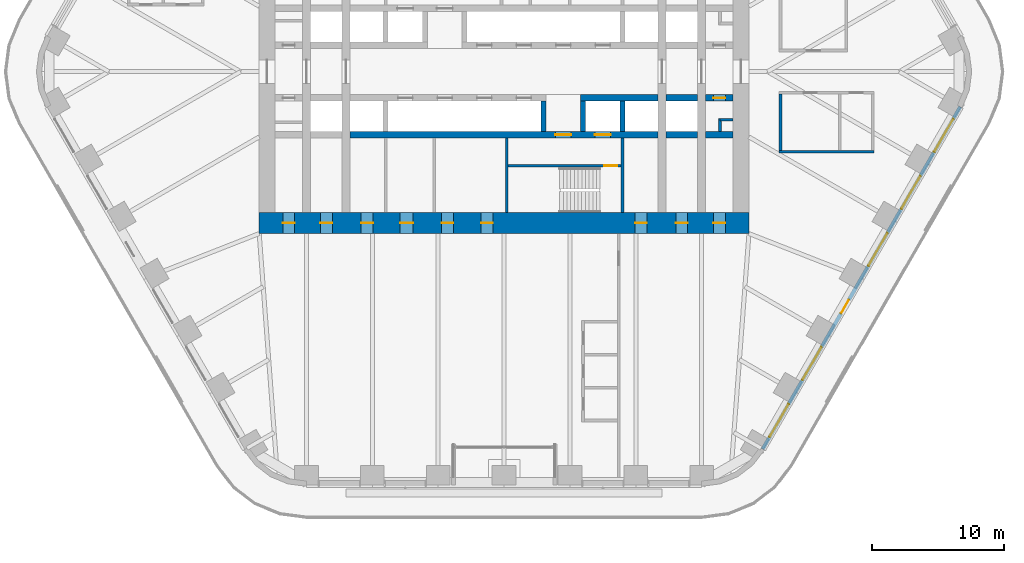
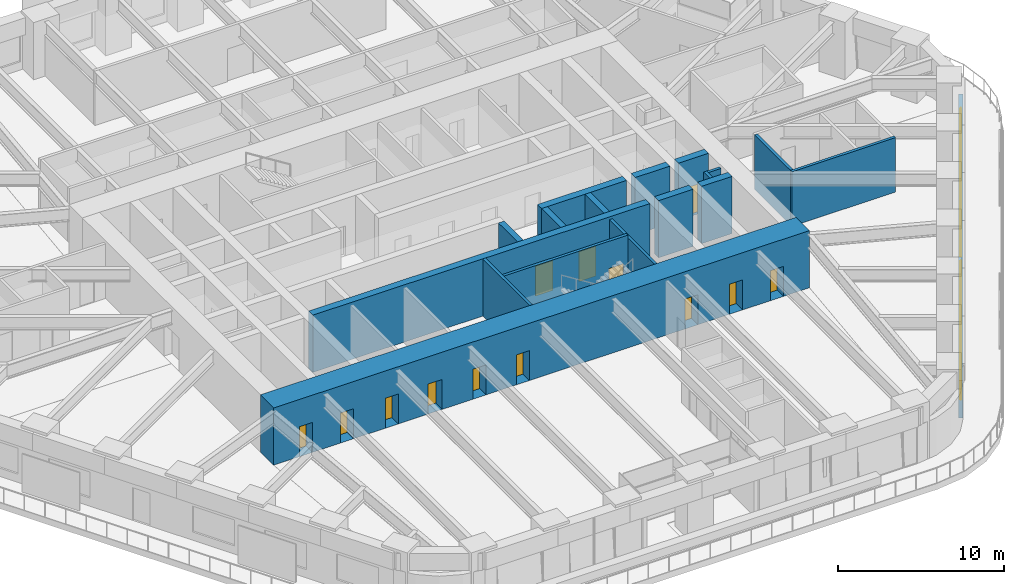
# One storey, part 18 of 24: 18 walls, 14 doors, 5 windows, 19 openings.
"""IFC4 building model written with IfcOpenShell, lengths in metres."""

from ifc_helpers import new_model, si_unit, direction, frame, frame_2d, origin, place, context, subcontext, project, spatial, rectangle, extrude, material, layer, layer_set, type_object, element, fill, save


model = new_model("IFC4")

# Units and contexts
model_context = context("Model", 3, precision=1e-05, world=origin(), true_north=direction((0.0, 1.0)))
body_context = subcontext(model_context, "Body", "Model", "MODEL_VIEW")
ifc_project = project(units=[si_unit("LENGTHUNIT", "METRE"), si_unit("AREAUNIT", "SQUARE_METRE"), si_unit("VOLUMEUNIT", "CUBIC_METRE"), si_unit("PLANEANGLEUNIT", "RADIAN"), si_unit("MASSUNIT", "GRAM", prefix="KILO")], contexts=[model_context])

# Site, building, storey
site_placement = place(None, origin())
site = spatial("IfcSite", under=ifc_project, at=site_placement, CompositionType="ELEMENT")
building_placement = place(site_placement, origin())
building = spatial("IfcBuilding", under=site, at=building_placement, Name="Tarfa Lantern Tower", CompositionType="ELEMENT")
storey_placement = place(building_placement, frame((0.0, 0.0, 136.300048828125)))
storey = spatial("IfcBuildingStorey", under=building, at=storey_placement, Name="L30", CompositionType="ELEMENT", Elevation=136.300048828125)

# Wall, openings, door, windows
ifc_material_1 = material(Name="Limestone cladding on blockwork", Category="masonry")
ifc_layer_1 = layer(ifc_material_1, 0.300048828125)
ifc_layer_set_1 = layer_set([ifc_layer_1], Name="EW1 STONE-CLAD WALL 300")
wall_type_1 = type_object("IfcWallType", Name="EW1 STONE-CLAD WALL 300", PredefinedType="SOLIDWALL", material=ifc_layer_set_1)
wall_1_placement = place(storey_placement, frame((19.644287109375, -28.675048828125, 0.0), z_axis=(0.0, 0.0, 1.0), x_axis=(0.500003084452, 0.866023622968, 0.0)))
wall_1 = element("IfcWall", 1, at=wall_1_placement, inside=storey, type_object=wall_type_1, Name="Stone wall SE", PredefinedType="SOLIDWALL", context=body_context, shape_type="SweptSolid", body=[
    extrude(rectangle(XDim=30.022216796875, YDim=0.300048828125, at=frame_2d((15.01123046875, 0.0))), origin(), (0.0, 0.0, 1.0), 2.75),
])
opening_1_placement = place(wall_1_placement, frame((1.0517578125, 0.0, 0.60009765625)))
opening_1 = element("IfcOpeningElement", 2, at=opening_1_placement, cuts=wall_1, Name="Opening W9", PredefinedType="OPENING", context=body_context, shape_type="SweptSolid", body=[
    extrude(rectangle(XDim=2.89990234375, YDim=1.89990234375, at=frame_2d((1.449951171875, 0.949951171875))), frame((0.0, 0.159912109375, 0.0), z_axis=(0.0, -1.0, 0.0), x_axis=(1.0, 0.0, 0.0)), (0.0, 0.0, 1.0), 0.320068359375),
])
opening_2_placement = place(wall_1_placement, frame((6.0556640625, 0.0, 0.60009765625)))
opening_2 = element("IfcOpeningElement", 3, at=opening_2_placement, cuts=wall_1, Name="Opening W9", PredefinedType="OPENING", context=body_context, shape_type="SweptSolid", body=[
    extrude(rectangle(XDim=2.89990234375, YDim=1.89990234375, at=frame_2d((1.449951171875, 0.949951171875))), frame((0.0, 0.159912109375, 0.0), z_axis=(0.0, -1.0, 0.0), x_axis=(1.0, 0.0, 0.0)), (0.0, 0.0, 1.0), 0.320068359375),
])
opening_3_placement = place(wall_1_placement, frame((11.9091796875, 0.0, 0.0)))
opening_3 = element("IfcOpeningElement", 4, at=opening_3_placement, cuts=wall_1, Name="Opening D50", PredefinedType="OPENING", context=body_context, shape_type="SweptSolid", body=[
    extrude(rectangle(XDim=1.199951171875, YDim=2.39990234375, at=frame_2d((0.60009765625, 1.199951171875))), frame((0.0, 0.159912109375, 0.0), z_axis=(0.0, -1.0, 0.0), x_axis=(1.0, 0.0, 0.0)), (0.0, 0.0, 1.0), 0.320068359375),
])
opening_4_placement = place(wall_1_placement, frame((16.06298828125, 0.0, 0.60009765625)))
opening_4 = element("IfcOpeningElement", 5, at=opening_4_placement, cuts=wall_1, Name="Opening W9", PredefinedType="OPENING", context=body_context, shape_type="SweptSolid", body=[
    extrude(rectangle(XDim=2.89990234375, YDim=1.89990234375, at=frame_2d((1.449951171875, 0.949951171875))), frame((0.0, 0.159912109375, 0.0), z_axis=(0.0, -1.0, 0.0), x_axis=(1.0, 0.0, 0.0)), (0.0, 0.0, 1.0), 0.320068359375),
])
opening_5_placement = place(wall_1_placement, frame((21.066650390625, 0.0, 0.60009765625)))
opening_5 = element("IfcOpeningElement", 6, at=opening_5_placement, cuts=wall_1, Name="Opening W9", PredefinedType="OPENING", context=body_context, shape_type="SweptSolid", body=[
    extrude(rectangle(XDim=2.89990234375, YDim=1.89990234375, at=frame_2d((1.449951171875, 0.949951171875))), frame((0.0, 0.159912109375, 0.0), z_axis=(0.0, -1.0, 0.0), x_axis=(1.0, 0.0, 0.0)), (0.0, 0.0, 1.0), 0.320068359375),
])
opening_6_placement = place(wall_1_placement, frame((26.0703125, 0.0, 0.60009765625)))
opening_6 = element("IfcOpeningElement", 7, at=opening_6_placement, cuts=wall_1, Name="Opening W9", PredefinedType="OPENING", context=body_context, shape_type="SweptSolid", body=[
    extrude(rectangle(XDim=2.89990234375, YDim=1.89990234375, at=frame_2d((1.449951171875, 0.949951171875))), frame((0.0, 0.159912109375, 0.0), z_axis=(0.0, -1.0, 0.0), x_axis=(1.0, 0.0, 0.0)), (0.0, 0.0, 1.0), 0.320068359375),
])
ifc_material_2 = material(Name="Aluminium framed glazed door", Category="aluminium")
door_type_1 = type_object("IfcDoorType", Name="BE3 BALCONY DOOR 1200x2400", OperationType="SINGLE_SWING_RIGHT", PredefinedType="DOOR", material=ifc_material_2)
door_1_placement = place(opening_3_placement, origin())
door_1 = element("IfcDoor", 8, at=door_1_placement, inside=storey, type_object=door_type_1, Name="Balcony door SE", OperationType="SINGLE_SWING_RIGHT", OverallHeight=2.39990234375, OverallWidth=1.199951171875, PredefinedType="DOOR", context=body_context, shape_type="SweptSolid", body=[
    extrude(rectangle(XDim=1.199951171875, YDim=2.39990234375, at=frame_2d((0.60009765625, 1.199951171875))), frame((0.0, 0.02490234375, 0.0), z_axis=(0.0, -1.0, 0.0), x_axis=(1.0, 0.0, 0.0)), (0.0, 0.0, 1.0), 0.050048828125),
])
fill(opening_3, door_1)
ifc_material_3 = material(Name="Aluminium frame, double glazed", Category="aluminium")
window_type = type_object("IfcWindowType", Name="W9 FULL-HEIGHT GLAZING 2900x1900", PartitioningType="SINGLE_PANEL", PredefinedType="WINDOW", material=ifc_material_3)
window_1_placement = place(opening_1_placement, origin())
window_1 = element("IfcWindow", 9, at=window_1_placement, inside=storey, type_object=window_type, Name="Window SE 1", OverallHeight=1.89990234375, OverallWidth=2.89990234375, PartitioningType="SINGLE_PANEL", PredefinedType="WINDOW", context=body_context, shape_type="SweptSolid", body=[
    extrude(rectangle(XDim=2.89990234375, YDim=1.89990234375, at=frame_2d((1.449951171875, 0.949951171875))), frame((0.0, 0.030029296875, 0.0), z_axis=(0.0, -1.0, 0.0), x_axis=(1.0, 0.0, 0.0)), (0.0, 0.0, 1.0), 0.06005859375),
])
fill(opening_1, window_1)
window_2_placement = place(opening_2_placement, origin())
window_2 = element("IfcWindow", 10, at=window_2_placement, inside=storey, type_object=window_type, Name="Window SE 2", OverallHeight=1.89990234375, OverallWidth=2.89990234375, PartitioningType="SINGLE_PANEL", PredefinedType="WINDOW", context=body_context, shape_type="SweptSolid", body=[
    extrude(rectangle(XDim=2.89990234375, YDim=1.89990234375, at=frame_2d((1.449951171875, 0.949951171875))), frame((0.0, 0.030029296875, 0.0), z_axis=(0.0, -1.0, 0.0), x_axis=(1.0, 0.0, 0.0)), (0.0, 0.0, 1.0), 0.06005859375),
])
fill(opening_2, window_2)
window_3_placement = place(opening_4_placement, origin())
window_3 = element("IfcWindow", 11, at=window_3_placement, inside=storey, type_object=window_type, Name="Window SE 4", OverallHeight=1.89990234375, OverallWidth=2.89990234375, PartitioningType="SINGLE_PANEL", PredefinedType="WINDOW", context=body_context, shape_type="SweptSolid", body=[
    extrude(rectangle(XDim=2.89990234375, YDim=1.89990234375, at=frame_2d((1.449951171875, 0.949951171875))), frame((0.0, 0.030029296875, 0.0), z_axis=(0.0, -1.0, 0.0), x_axis=(1.0, 0.0, 0.0)), (0.0, 0.0, 1.0), 0.06005859375),
])
fill(opening_4, window_3)
window_4_placement = place(opening_5_placement, origin())
window_4 = element("IfcWindow", 12, at=window_4_placement, inside=storey, type_object=window_type, Name="Window SE 5", OverallHeight=1.89990234375, OverallWidth=2.89990234375, PartitioningType="SINGLE_PANEL", PredefinedType="WINDOW", context=body_context, shape_type="SweptSolid", body=[
    extrude(rectangle(XDim=2.89990234375, YDim=1.89990234375, at=frame_2d((1.449951171875, 0.949951171875))), frame((0.0, 0.030029296875, 0.0), z_axis=(0.0, -1.0, 0.0), x_axis=(1.0, 0.0, 0.0)), (0.0, 0.0, 1.0), 0.06005859375),
])
fill(opening_5, window_4)
window_5_placement = place(opening_6_placement, origin())
window_5 = element("IfcWindow", 13, at=window_5_placement, inside=storey, type_object=window_type, Name="Window SE 6", OverallHeight=1.89990234375, OverallWidth=2.89990234375, PartitioningType="SINGLE_PANEL", PredefinedType="WINDOW", context=body_context, shape_type="SweptSolid", body=[
    extrude(rectangle(XDim=2.89990234375, YDim=1.89990234375, at=frame_2d((1.449951171875, 0.949951171875))), frame((0.0, 0.030029296875, 0.0), z_axis=(0.0, -1.0, 0.0), x_axis=(1.0, 0.0, 0.0)), (0.0, 0.0, 1.0), 0.06005859375),
])
fill(opening_6, window_5)

# Walls
ifc_material_4 = material(Name="Concrete blockwork", Category="masonry")
ifc_layer_2 = layer(ifc_material_4, 0.199951171875)
ifc_layer_set_2 = layer_set([ifc_layer_2], Name="IW1 BLOCKWORK PARTITION 200 EI 120")
wall_type_2 = type_object("IfcWallType", Name="IW1 BLOCKWORK PARTITION 200 EI 120", PredefinedType="PARTITIONING", material=ifc_layer_set_2)
wall_2_placement = place(storey_placement, frame((9.0, -5.050048828125, 0.0), z_axis=(0.0, 0.0, 1.0), x_axis=(0.0, -1.0, 0.0)))
element("IfcWall", 14, at=wall_2_placement, inside=storey, type_object=wall_type_2, Name="Core partition", PredefinedType="PARTITIONING", context=body_context, shape_type="SweptSolid", body=[
    extrude(rectangle(XDim=5.64990234375, YDim=0.199951171875, at=frame_2d((2.824951171875, 0.0))), origin(), (0.0, 0.0, 1.0), 4.0),
])
for number, where, z_axis, x_axis, name in (
    (15, (17.39990234375, -3.64990234375, 0.0), (0.0, 0.0, 1.0), (-1.0, 0.0, 0.0), "Core partition"),
    (16, (16.39990234375, -3.550048828125, 0.0), (0.0, 0.0, 1.0), (0.0, -1.0, 0.0), "Core partition"),
):
    element("IfcWall", number, at=place(storey_placement, frame(where, z_axis=z_axis, x_axis=x_axis)), inside=storey, type_object=wall_type_2, Name=name, PredefinedType="PARTITIONING", context=body_context, shape_type="SweptSolid", body=[
        extrude(rectangle(XDim=1.0, YDim=0.199951171875, at=frame_2d((0.5, 0.0))), origin(), (0.0, 0.0, 1.0), 4.0),
    ])
ifc_material_5 = material(Name="Gypsum board on steel studs", Category="steel")
ifc_layer_3 = layer(ifc_material_5, 0.2099609375)
ifc_layer_set_3 = layer_set([ifc_layer_3], Name="IW2 ACOUSTIC PARTITION 200")
wall_type_3 = type_object("IfcWallType", Name="IW2 ACOUSTIC PARTITION 200", PredefinedType="PARTITIONING", material=ifc_layer_set_3)
wall_3_placement = place(storey_placement, frame((20.89990234375, -6.10009765625, 0.0), z_axis=(0.0, 0.0, 1.0), x_axis=(1.0, 0.0, 0.0)))
element("IfcWall", 17, at=wall_3_placement, inside=storey, type_object=wall_type_3, Name="Partition", PredefinedType="PARTITIONING", context=body_context, shape_type="SweptSolid", body=[
    extrude(rectangle(XDim=7.2001953125, YDim=0.199951171875, at=frame_2d((3.60009765625, 0.0))), origin(), (0.0, 0.0, 1.0), 4.0),
])
wall_4_placement = place(storey_placement, frame((21.0, -1.699951171875, 0.0), z_axis=(0.0, 0.0, 1.0), x_axis=(0.0, -1.0, 0.0)))
element("IfcWall", 18, at=wall_4_placement, inside=storey, type_object=wall_type_3, Name="Partition", PredefinedType="PARTITIONING", context=body_context, shape_type="SweptSolid", body=[
    extrude(rectangle(XDim=4.300048828125, YDim=0.199951171875, at=frame_2d((2.14990234375, 0.0))), origin(), (0.0, 0.0, 1.0), 4.0),
])
ifc_material_6 = material(Name="Concrete C80/95", Category="concrete")
ifc_layer_4 = layer(ifc_material_6, 0.199951171875)
ifc_layer_set_4 = layer_set([ifc_layer_4], Name="SW12 CORE WALL 200")
wall_type_4 = type_object("IfcWallType", Name="SW12 CORE WALL 200", PredefinedType="SHEAR", material=ifc_layer_set_4)
wall_5_placement = place(storey_placement, frame((0.199951171875, -5.050048828125, 0.0), z_axis=(0.0, 0.0, 1.0), x_axis=(0.0, -1.0, 0.0)))
element("IfcWall", 19, at=wall_5_placement, inside=storey, type_object=wall_type_4, Name="Core wall stair shaft S", PredefinedType="SHEAR", context=body_context, shape_type="SweptSolid", body=[
    extrude(rectangle(XDim=5.64990234375, YDim=0.199951171875, at=frame_2d((2.824951171875, 0.0))), origin(), (0.0, 0.0, 1.0), 4.199951171875),
])

# Wall, opening, door
wall_6_placement = place(storey_placement, frame((8.89990234375, -7.14990234375, 0.0), z_axis=(0.0, 0.0, 1.0), x_axis=(-1.0, 0.0, 0.0)))
wall_6 = element("IfcWall", 20, at=wall_6_placement, inside=storey, type_object=wall_type_4, Name="Core wall stair partition S", PredefinedType="SHEAR", context=body_context, shape_type="SweptSolid", body=[
    extrude(rectangle(XDim=8.599853515625, YDim=0.199951171875, at=frame_2d((4.2998046875, 0.0))), origin(), (0.0, 0.0, 1.0), 4.199951171875),
])
opening_7_placement = place(wall_6_placement, frame((0.300048828125, 0.0, 0.0)))
opening_7 = element("IfcOpeningElement", 21, at=opening_7_placement, cuts=wall_6, Name="Opening D28", PredefinedType="OPENING", context=body_context, shape_type="SweptSolid", body=[
    extrude(rectangle(XDim=1.0, YDim=2.199951171875, at=frame_2d((0.5, 1.10009765625))), frame((0.0, 0.10986328125, 0.0), z_axis=(0.0, -1.0, 0.0), x_axis=(1.0, 0.0, 0.0)), (0.0, 0.0, 1.0), 0.219970703125),
])
ifc_material_7 = material(Name="Steel fire door", Category="steel")
door_type_2 = type_object("IfcDoorType", Name="DF2 STAIR DOOR 1000x2200", OperationType="SINGLE_SWING_LEFT", PredefinedType="DOOR", material=ifc_material_7)
door_2_placement = place(opening_7_placement, origin())
door_2 = element("IfcDoor", 22, at=door_2_placement, inside=storey, type_object=door_type_2, Name="Stair door", OperationType="SINGLE_SWING_RIGHT", OverallHeight=2.199951171875, OverallWidth=1.0, PredefinedType="DOOR", context=body_context, shape_type="SweptSolid", body=[
    extrude(rectangle(XDim=1.0, YDim=2.199951171875, at=frame_2d((0.5, 1.10009765625))), frame((0.0, 0.02490234375, 0.0), z_axis=(0.0, -1.0, 0.0), x_axis=(1.0, 0.0, 0.0)), (0.0, 0.0, 1.0), 0.050048828125),
])
fill(opening_7, door_2)

ifc_layer_5 = layer(ifc_material_6, 0.5)
ifc_layer_set_5 = layer_set([ifc_layer_5], Name="SW5 CORE WALL 500")
wall_type_5 = type_object("IfcWallType", Name="SW5 CORE WALL 500", PredefinedType="SHEAR", material=ifc_layer_set_5)
wall_7_placement = place(storey_placement, frame((17.39990234375, -2.0, 0.0), z_axis=(0.0, 0.0, 1.0), x_axis=(-1.0, 0.0, 0.0)))
wall_7 = element("IfcWall", 23, at=wall_7_placement, inside=storey, type_object=wall_type_5, Name="Core wall lobby west S", PredefinedType="SHEAR", context=body_context, shape_type="SweptSolid", body=[
    extrude(rectangle(XDim=2.099853515625, YDim=0.5, at=frame_2d((1.0498046875, 0.0))), origin(), (0.0, 0.0, 1.0), 4.199951171875),
])
opening_8_placement = place(wall_7_placement, frame((0.60009765625, 0.0, 0.0)))
opening_8 = element("IfcOpeningElement", 24, at=opening_8_placement, cuts=wall_7, Name="Opening D20", PredefinedType="OPENING", context=body_context, shape_type="SweptSolid", body=[
    extrude(rectangle(XDim=0.89990234375, YDim=2.199951171875, at=frame_2d((0.449951171875, 1.10009765625))), frame((0.0, 0.260009765625, 0.0), z_axis=(0.0, -1.0, 0.0), x_axis=(1.0, 0.0, 0.0)), (0.0, 0.0, 1.0), 0.52001953125),
])
door_type_3 = type_object("IfcDoorType", Name="DF6 SERVICE ROOM DOOR 900x2200", OperationType="SINGLE_SWING_LEFT", PredefinedType="DOOR", material=ifc_material_7)
door_3_placement = place(opening_8_placement, origin())
door_3 = element("IfcDoor", 25, at=door_3_placement, inside=storey, type_object=door_type_3, Name="Service room door", OperationType="SINGLE_SWING_LEFT", OverallHeight=2.199951171875, OverallWidth=0.89990234375, PredefinedType="DOOR", context=body_context, shape_type="SweptSolid", body=[
    extrude(rectangle(XDim=0.89990234375, YDim=2.199951171875, at=frame_2d((0.449951171875, 1.10009765625))), frame((0.0, 0.02490234375, 0.0), z_axis=(0.0, -1.0, 0.0), x_axis=(1.0, 0.0, 0.0)), (0.0, 0.0, 1.0), 0.050048828125),
])
fill(opening_8, door_3)

# Walls
wall_8_placement = place(storey_placement, frame((14.699951171875, -2.0, 0.0), z_axis=(0.0, 0.0, 1.0), x_axis=(-1.0, 0.0, 0.0)))
element("IfcWall", 26, at=wall_8_placement, inside=storey, type_object=wall_type_5, Name="Core wall lobby west S", PredefinedType="SHEAR", context=body_context, shape_type="SweptSolid", body=[
    extrude(rectangle(XDim=2.39990234375, YDim=0.5, at=frame_2d((1.199951171875, 0.0))), origin(), (0.0, 0.0, 1.0), 4.199951171875),
])
wall_9_placement = place(storey_placement, frame((11.699951171875, -2.0, 0.0), z_axis=(0.0, 0.0, 1.0), x_axis=(-1.0, 0.0, 0.0)))
element("IfcWall", 27, at=wall_9_placement, inside=storey, type_object=wall_type_5, Name="Core wall lobby west S", PredefinedType="SHEAR", context=body_context, shape_type="SweptSolid", body=[
    extrude(rectangle(XDim=5.89990234375, YDim=0.5, at=frame_2d((2.949951171875, 0.0))), origin(), (0.0, 0.0, 1.0), 4.199951171875),
])
wall_10_placement = place(storey_placement, frame((17.39990234375, -4.800048828125, 0.0), z_axis=(0.0, 0.0, 1.0), x_axis=(-1.0, 0.0, 0.0)))
element("IfcWall", 28, at=wall_10_placement, inside=storey, type_object=wall_type_5, Name="Core wall rear S", PredefinedType="SHEAR", context=body_context, shape_type="SweptSolid", body=[
    extrude(rectangle(XDim=2.099853515625, YDim=0.5, at=frame_2d((1.0498046875, 0.0))), origin(), (0.0, 0.0, 1.0), 4.199951171875),
])
wall_11_placement = place(storey_placement, frame((14.699951171875, -4.800048828125, 0.0), z_axis=(0.0, 0.0, 1.0), x_axis=(-1.0, 0.0, 0.0)))
element("IfcWall", 29, at=wall_11_placement, inside=storey, type_object=wall_type_5, Name="Core wall rear S", PredefinedType="SHEAR", context=body_context, shape_type="SweptSolid", body=[
    extrude(rectangle(XDim=2.39990234375, YDim=0.5, at=frame_2d((1.199951171875, 0.0))), origin(), (0.0, 0.0, 1.0), 4.199951171875),
])

# Wall, openings, doors
wall_12_placement = place(storey_placement, frame((11.699951171875, -4.800048828125, 0.0), z_axis=(0.0, 0.0, 1.0), x_axis=(-1.0, 0.0, 0.0)))
wall_12 = element("IfcWall", 30, at=wall_12_placement, inside=storey, type_object=wall_type_5, Name="Core wall rear S", PredefinedType="SHEAR", context=body_context, shape_type="SweptSolid", body=[
    extrude(rectangle(XDim=23.39990234375, YDim=0.5, at=frame_2d((11.699951171875, 0.0))), origin(), (0.0, 0.0, 1.0), 4.199951171875),
])
opening_9_placement = place(wall_12_placement, frame((6.60009765625, 0.0, 0.0)))
opening_9 = element("IfcOpeningElement", 31, at=opening_9_placement, cuts=wall_12, Name="Opening D14", PredefinedType="OPENING", context=body_context, shape_type="SweptSolid", body=[
    extrude(rectangle(XDim=1.199951171875, YDim=2.199951171875, at=frame_2d((0.60009765625, 1.10009765625))), frame((0.0, 0.260009765625, 0.0), z_axis=(0.0, -1.0, 0.0), x_axis=(1.0, 0.0, 0.0)), (0.0, 0.0, 1.0), 0.52001953125),
])
opening_10_placement = place(wall_12_placement, frame((3.60009765625, 0.0, 0.0)))
opening_10 = element("IfcOpeningElement", 32, at=opening_10_placement, cuts=wall_12, Name="Opening LD02", PredefinedType="OPENING", context=body_context, shape_type="SweptSolid", body=[
    extrude(rectangle(XDim=1.199951171875, YDim=2.199951171875, at=frame_2d((0.60009765625, 1.10009765625))), frame((0.0, 0.260009765625, 0.0), z_axis=(0.0, -1.0, 0.0), x_axis=(1.0, 0.0, 0.0)), (0.0, 0.0, 1.0), 0.52001953125),
])
door_type_4 = type_object("IfcDoorType", Name="DF1 FIREFIGHTING LOBBY DOOR 1200x2200", OperationType="SINGLE_SWING_LEFT", PredefinedType="DOOR", material=ifc_material_7)
door_4_placement = place(opening_9_placement, origin())
door_4 = element("IfcDoor", 33, at=door_4_placement, inside=storey, type_object=door_type_4, Name="Firefighting lobby door", OperationType="SINGLE_SWING_LEFT", OverallHeight=2.199951171875, OverallWidth=1.199951171875, PredefinedType="DOOR", context=body_context, shape_type="SweptSolid", body=[
    extrude(rectangle(XDim=1.199951171875, YDim=2.199951171875, at=frame_2d((0.60009765625, 1.10009765625))), frame((0.0, 0.02490234375, 0.0), z_axis=(0.0, -1.0, 0.0), x_axis=(1.0, 0.0, 0.0)), (0.0, 0.0, 1.0), 0.050048828125),
])
fill(opening_9, door_4)
ifc_material_8 = material(Name="Stainless steel lift door", Category="steel")
door_type_5 = type_object("IfcDoorType", Name="LD1 LIFT LANDING DOOR 1200x2200", OperationType="SLIDING_TO_LEFT", PredefinedType="DOOR", material=ifc_material_8)
door_5_placement = place(opening_10_placement, origin())
door_5 = element("IfcDoor", 34, at=door_5_placement, inside=storey, type_object=door_type_5, Name="Landing door FL2", OperationType="SLIDING_TO_LEFT", OverallHeight=2.199951171875, OverallWidth=1.199951171875, PredefinedType="DOOR", context=body_context, shape_type="SweptSolid", body=[
    extrude(rectangle(XDim=1.199951171875, YDim=2.199951171875, at=frame_2d((0.60009765625, 1.10009765625))), frame((0.0, 0.02490234375, 0.0), z_axis=(0.0, -1.0, 0.0), x_axis=(1.0, 0.0, 0.0)), (0.0, 0.0, 1.0), 0.050048828125),
])
fill(opening_10, door_5)

# Walls
ifc_layer_6 = layer(ifc_material_6, 0.39990234375)
ifc_layer_set_6 = layer_set([ifc_layer_6], Name="SW6 CORE WALL 400")
wall_type_6 = type_object("IfcWallType", Name="SW6 CORE WALL 400", PredefinedType="SHEAR", material=ifc_layer_set_6)
for number, where, z_axis, x_axis, name in (
    (35, (9.0, -2.25, 0.0), (0.0, 0.0, 1.0), (0.0, -1.0, 0.0), "Core wall divider S"),
    (36, (6.0, -2.25, 0.0), (0.0, 0.0, 1.0), (0.0, -1.0, 0.0), "Core wall divider S"),
    (37, (3.0, -2.25, 0.0), (0.0, 0.0, 1.0), (0.0, -1.0, 0.0), "Core wall divider S"),
):
    element("IfcWall", number, at=place(storey_placement, frame(where, z_axis=z_axis, x_axis=x_axis)), inside=storey, type_object=wall_type_6, Name=name, PredefinedType="SHEAR", context=body_context, shape_type="SweptSolid", body=[
        extrude(rectangle(XDim=2.300048828125, YDim=0.39990234375, at=frame_2d((1.14990234375, 0.0))), origin(), (0.0, 0.0, 1.0), 4.199951171875),
    ])

# Wall, openings, doors
ifc_layer_7 = layer(ifc_material_6, 1.60009765625)
ifc_layer_set_7 = layer_set([ifc_layer_7], Name="SW7 CORE WALL 1600")
wall_type_7 = type_object("IfcWallType", Name="SW7 CORE WALL 1600", PredefinedType="SHEAR", material=ifc_layer_set_7)
wall_13_placement = place(storey_placement, frame((18.60009765625, -11.5, 0.0), z_axis=(0.0, 0.0, 1.0), x_axis=(-1.0, 0.0, 0.0)))
wall_13 = element("IfcWall", 38, at=wall_13_placement, inside=storey, type_object=wall_type_7, Name="Core wall S", PredefinedType="SHEAR", context=body_context, shape_type="SweptSolid", body=[
    extrude(rectangle(XDim=37.2001953125, YDim=1.60009765625, at=frame_2d((18.60009765625, 0.0))), origin(), (0.0, 0.0, 1.0), 4.199951171875),
])
opening_11_placement = place(wall_13_placement, frame((19.449951171875, 0.0, 0.0)))
opening_11 = element("IfcOpeningElement", 39, at=opening_11_placement, cuts=wall_13, Name="Opening D22", PredefinedType="OPENING", context=body_context, shape_type="SweptSolid", body=[
    extrude(rectangle(XDim=0.89990234375, YDim=2.199951171875, at=frame_2d((0.449951171875, 1.10009765625))), frame((0.0, 0.81005859375, 0.0), z_axis=(0.0, -1.0, 0.0), x_axis=(1.0, 0.0, 0.0)), (0.0, 0.0, 1.0), 1.6201171875),
])
opening_12_placement = place(wall_13_placement, frame((22.449951171875, 0.0, 0.0)))
opening_12 = element("IfcOpeningElement", 40, at=opening_12_placement, cuts=wall_13, Name="Opening D24", PredefinedType="OPENING", context=body_context, shape_type="SweptSolid", body=[
    extrude(rectangle(XDim=0.89990234375, YDim=2.199951171875, at=frame_2d((0.449951171875, 1.10009765625))), frame((0.0, 0.81005859375, 0.0), z_axis=(0.0, -1.0, 0.0), x_axis=(1.0, 0.0, 0.0)), (0.0, 0.0, 1.0), 1.6201171875),
])
opening_13_placement = place(wall_13_placement, frame((25.5, 0.0, 0.0)))
opening_13 = element("IfcOpeningElement", 41, at=opening_13_placement, cuts=wall_13, Name="Opening D26", PredefinedType="OPENING", context=body_context, shape_type="SweptSolid", body=[
    extrude(rectangle(XDim=1.0, YDim=2.199951171875, at=frame_2d((0.5, 1.10009765625))), frame((0.0, 0.81005859375, 0.0), z_axis=(0.0, -1.0, 0.0), x_axis=(1.0, 0.0, 0.0)), (0.0, 0.0, 1.0), 1.6201171875),
])
opening_14_placement = place(wall_13_placement, frame((1.800048828125, 0.0, 0.0)))
opening_14 = element("IfcOpeningElement", 42, at=opening_14_placement, cuts=wall_13, Name="Opening D12", PredefinedType="OPENING", context=body_context, shape_type="SweptSolid", body=[
    extrude(rectangle(XDim=0.89990234375, YDim=2.199951171875, at=frame_2d((0.449951171875, 1.10009765625))), frame((0.0, 0.81005859375, 0.0), z_axis=(0.0, -1.0, 0.0), x_axis=(1.0, 0.0, 0.0)), (0.0, 0.0, 1.0), 1.6201171875),
])
opening_15_placement = place(wall_13_placement, frame((4.64990234375, 0.0, 0.0)))
opening_15 = element("IfcOpeningElement", 43, at=opening_15_placement, cuts=wall_13, Name="Opening D08", PredefinedType="OPENING", context=body_context, shape_type="SweptSolid", body=[
    extrude(rectangle(XDim=0.89990234375, YDim=2.199951171875, at=frame_2d((0.449951171875, 1.10009765625))), frame((0.0, 0.81005859375, 0.0), z_axis=(0.0, -1.0, 0.0), x_axis=(1.0, 0.0, 0.0)), (0.0, 0.0, 1.0), 1.6201171875),
])
opening_16_placement = place(wall_13_placement, frame((7.75, 0.0, 0.0)))
opening_16 = element("IfcOpeningElement", 44, at=opening_16_placement, cuts=wall_13, Name="Opening D10", PredefinedType="OPENING", context=body_context, shape_type="SweptSolid", body=[
    extrude(rectangle(XDim=0.89990234375, YDim=2.199951171875, at=frame_2d((0.449951171875, 1.10009765625))), frame((0.0, 0.81005859375, 0.0), z_axis=(0.0, -1.0, 0.0), x_axis=(1.0, 0.0, 0.0)), (0.0, 0.0, 1.0), 1.6201171875),
])
opening_17_placement = place(wall_13_placement, frame((28.550048828125, 0.0, 0.0)))
opening_17 = element("IfcOpeningElement", 45, at=opening_17_placement, cuts=wall_13, Name="Opening D06", PredefinedType="OPENING", context=body_context, shape_type="SweptSolid", body=[
    extrude(rectangle(XDim=0.89990234375, YDim=2.199951171875, at=frame_2d((0.449951171875, 1.10009765625))), frame((0.0, 0.81005859375, 0.0), z_axis=(0.0, -1.0, 0.0), x_axis=(1.0, 0.0, 0.0)), (0.0, 0.0, 1.0), 1.6201171875),
])
opening_18_placement = place(wall_13_placement, frame((31.64990234375, 0.0, 0.0)))
opening_18 = element("IfcOpeningElement", 46, at=opening_18_placement, cuts=wall_13, Name="Opening D02", PredefinedType="OPENING", context=body_context, shape_type="SweptSolid", body=[
    extrude(rectangle(XDim=0.89990234375, YDim=2.199951171875, at=frame_2d((0.449951171875, 1.10009765625))), frame((0.0, 0.81005859375, 0.0), z_axis=(0.0, -1.0, 0.0), x_axis=(1.0, 0.0, 0.0)), (0.0, 0.0, 1.0), 1.6201171875),
])
opening_19_placement = place(wall_13_placement, frame((34.5, 0.0, 0.0)))
opening_19 = element("IfcOpeningElement", 47, at=opening_19_placement, cuts=wall_13, Name="Opening D04", PredefinedType="OPENING", context=body_context, shape_type="SweptSolid", body=[
    extrude(rectangle(XDim=0.89990234375, YDim=2.199951171875, at=frame_2d((0.449951171875, 1.10009765625))), frame((0.0, 0.81005859375, 0.0), z_axis=(0.0, -1.0, 0.0), x_axis=(1.0, 0.0, 0.0)), (0.0, 0.0, 1.0), 1.6201171875),
])
door_type_6 = type_object("IfcDoorType", Name="DF3 CORE ROOM DOOR 900x2200", OperationType="SINGLE_SWING_LEFT", PredefinedType="DOOR", material=ifc_material_7)
door_6_placement = place(opening_11_placement, frame((0.89990234375, 0.0, 0.0), z_axis=(0.0, 0.0, 1.0), x_axis=(-1.0, 0.0, 0.0)))
door_6 = element("IfcDoor", 48, at=door_6_placement, inside=storey, type_object=door_type_6, Name="Core door", OperationType="SINGLE_SWING_LEFT", OverallHeight=2.199951171875, OverallWidth=0.89990234375, PredefinedType="DOOR", context=body_context, shape_type="SweptSolid", body=[
    extrude(rectangle(XDim=0.89990234375, YDim=2.199951171875, at=frame_2d((0.449951171875, 1.10009765625))), frame((0.0, 0.02490234375, 0.0), z_axis=(0.0, -1.0, 0.0), x_axis=(1.0, 0.0, 0.0)), (0.0, 0.0, 1.0), 0.050048828125),
])
fill(opening_11, door_6)
door_7_placement = place(opening_12_placement, frame((0.89990234375, 0.0, 0.0), z_axis=(0.0, 0.0, 1.0), x_axis=(-1.0, 0.0, 0.0)))
door_7 = element("IfcDoor", 49, at=door_7_placement, inside=storey, type_object=door_type_6, Name="Core door", OperationType="SINGLE_SWING_RIGHT", OverallHeight=2.199951171875, OverallWidth=0.89990234375, PredefinedType="DOOR", context=body_context, shape_type="SweptSolid", body=[
    extrude(rectangle(XDim=0.89990234375, YDim=2.199951171875, at=frame_2d((0.449951171875, 1.10009765625))), frame((0.0, 0.02490234375, 0.0), z_axis=(0.0, -1.0, 0.0), x_axis=(1.0, 0.0, 0.0)), (0.0, 0.0, 1.0), 0.050048828125),
])
fill(opening_12, door_7)
door_type_7 = type_object("IfcDoorType", Name="DF4 CORE ROOM DOOR 1000x2200", OperationType="SINGLE_SWING_LEFT", PredefinedType="DOOR", material=ifc_material_7)
door_8_placement = place(opening_13_placement, frame((1.0, 0.0, 0.0), z_axis=(0.0, 0.0, 1.0), x_axis=(-1.0, 0.0, 0.0)))
door_8 = element("IfcDoor", 50, at=door_8_placement, inside=storey, type_object=door_type_7, Name="Core door", OperationType="SINGLE_SWING_RIGHT", OverallHeight=2.199951171875, OverallWidth=1.0, PredefinedType="DOOR", context=body_context, shape_type="SweptSolid", body=[
    extrude(rectangle(XDim=1.0, YDim=2.199951171875, at=frame_2d((0.5, 1.10009765625))), frame((0.0, 0.02490234375, 0.0), z_axis=(0.0, -1.0, 0.0), x_axis=(1.0, 0.0, 0.0)), (0.0, 0.0, 1.0), 0.050048828125),
])
fill(opening_13, door_8)
door_type_8 = type_object("IfcDoorType", Name="DF5 RISER DOOR 900x2200", OperationType="SINGLE_SWING_LEFT", PredefinedType="DOOR", material=ifc_material_7)
door_9_placement = place(opening_14_placement, frame((0.89990234375, 0.0, 0.0), z_axis=(0.0, 0.0, 1.0), x_axis=(-1.0, 0.0, 0.0)))
door_9 = element("IfcDoor", 51, at=door_9_placement, inside=storey, type_object=door_type_8, Name="Riser door", OperationType="SINGLE_SWING_LEFT", OverallHeight=2.199951171875, OverallWidth=0.89990234375, PredefinedType="DOOR", context=body_context, shape_type="SweptSolid", body=[
    extrude(rectangle(XDim=0.89990234375, YDim=2.199951171875, at=frame_2d((0.449951171875, 1.10009765625))), frame((0.0, 0.02490234375, 0.0), z_axis=(0.0, -1.0, 0.0), x_axis=(1.0, 0.0, 0.0)), (0.0, 0.0, 1.0), 0.050048828125),
])
fill(opening_14, door_9)
door_10_placement = place(opening_15_placement, frame((0.89990234375, 0.0, 0.0), z_axis=(0.0, 0.0, 1.0), x_axis=(-1.0, 0.0, 0.0)))
door_10 = element("IfcDoor", 52, at=door_10_placement, inside=storey, type_object=door_type_8, Name="Riser door", OperationType="SINGLE_SWING_LEFT", OverallHeight=2.199951171875, OverallWidth=0.89990234375, PredefinedType="DOOR", context=body_context, shape_type="SweptSolid", body=[
    extrude(rectangle(XDim=0.89990234375, YDim=2.199951171875, at=frame_2d((0.449951171875, 1.10009765625))), frame((0.0, 0.02490234375, 0.0), z_axis=(0.0, -1.0, 0.0), x_axis=(1.0, 0.0, 0.0)), (0.0, 0.0, 1.0), 0.050048828125),
])
fill(opening_15, door_10)
door_11_placement = place(opening_16_placement, frame((0.89990234375, 0.0, 0.0), z_axis=(0.0, 0.0, 1.0), x_axis=(-1.0, 0.0, 0.0)))
door_11 = element("IfcDoor", 53, at=door_11_placement, inside=storey, type_object=door_type_8, Name="Riser door", OperationType="SINGLE_SWING_LEFT", OverallHeight=2.199951171875, OverallWidth=0.89990234375, PredefinedType="DOOR", context=body_context, shape_type="SweptSolid", body=[
    extrude(rectangle(XDim=0.89990234375, YDim=2.199951171875, at=frame_2d((0.449951171875, 1.10009765625))), frame((0.0, 0.02490234375, 0.0), z_axis=(0.0, -1.0, 0.0), x_axis=(1.0, 0.0, 0.0)), (0.0, 0.0, 1.0), 0.050048828125),
])
fill(opening_16, door_11)
door_12_placement = place(opening_17_placement, frame((0.89990234375, 0.0, 0.0), z_axis=(0.0, 0.0, 1.0), x_axis=(-1.0, 0.0, 0.0)))
door_12 = element("IfcDoor", 54, at=door_12_placement, inside=storey, type_object=door_type_8, Name="Riser door", OperationType="SINGLE_SWING_RIGHT", OverallHeight=2.199951171875, OverallWidth=0.89990234375, PredefinedType="DOOR", context=body_context, shape_type="SweptSolid", body=[
    extrude(rectangle(XDim=0.89990234375, YDim=2.199951171875, at=frame_2d((0.449951171875, 1.10009765625))), frame((0.0, 0.02490234375, 0.0), z_axis=(0.0, -1.0, 0.0), x_axis=(1.0, 0.0, 0.0)), (0.0, 0.0, 1.0), 0.050048828125),
])
fill(opening_17, door_12)
door_13_placement = place(opening_18_placement, frame((0.89990234375, 0.0, 0.0), z_axis=(0.0, 0.0, 1.0), x_axis=(-1.0, 0.0, 0.0)))
door_13 = element("IfcDoor", 55, at=door_13_placement, inside=storey, type_object=door_type_8, Name="Riser door", OperationType="SINGLE_SWING_RIGHT", OverallHeight=2.199951171875, OverallWidth=0.89990234375, PredefinedType="DOOR", context=body_context, shape_type="SweptSolid", body=[
    extrude(rectangle(XDim=0.89990234375, YDim=2.199951171875, at=frame_2d((0.449951171875, 1.10009765625))), frame((0.0, 0.02490234375, 0.0), z_axis=(0.0, -1.0, 0.0), x_axis=(1.0, 0.0, 0.0)), (0.0, 0.0, 1.0), 0.050048828125),
])
fill(opening_18, door_13)
door_14_placement = place(opening_19_placement, frame((0.89990234375, 0.0, 0.0), z_axis=(0.0, 0.0, 1.0), x_axis=(-1.0, 0.0, 0.0)))
door_14 = element("IfcDoor", 56, at=door_14_placement, inside=storey, type_object=door_type_8, Name="Riser door", OperationType="SINGLE_SWING_RIGHT", OverallHeight=2.199951171875, OverallWidth=0.89990234375, PredefinedType="DOOR", context=body_context, shape_type="SweptSolid", body=[
    extrude(rectangle(XDim=0.89990234375, YDim=2.199951171875, at=frame_2d((0.449951171875, 1.10009765625))), frame((0.0, 0.02490234375, 0.0), z_axis=(0.0, -1.0, 0.0), x_axis=(1.0, 0.0, 0.0)), (0.0, 0.0, 1.0), 0.050048828125),
])
fill(opening_19, door_14)

save(model, "model.ifc")
